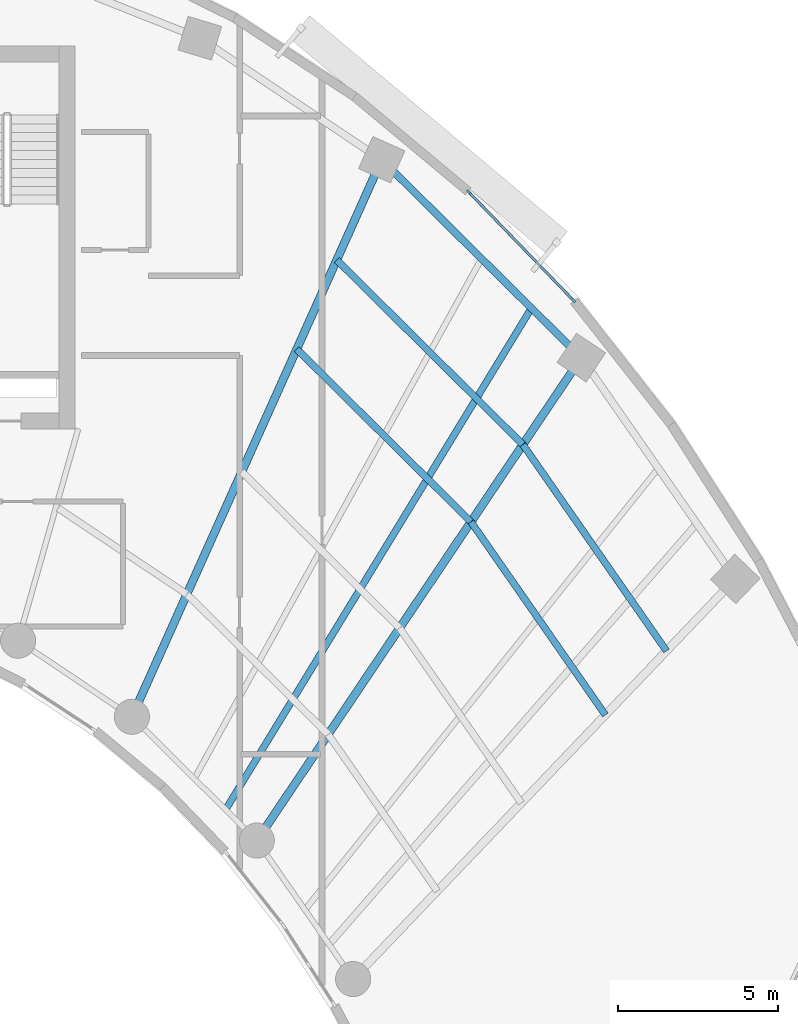
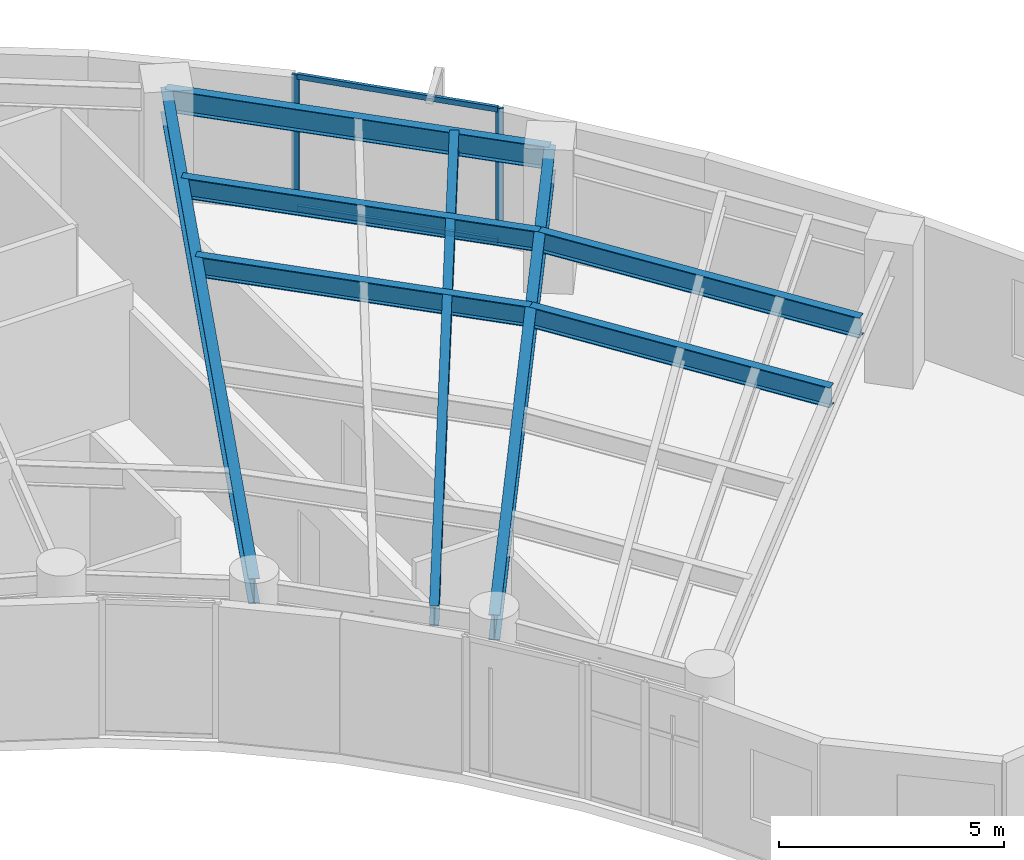
# One storey, part 4 of 13: 8 beams, 4 members, 1 element without a shape of its own.
"""IFC4 building model written with IfcOpenShell, lengths in metres."""

from ifc_helpers import new_model, si_unit, direction, frame, origin, origin_2d, place, context, subcontext, project, spatial, rectangle, i_section, extrude, source, transform, mapped, material, layer, layer_set, material_profile, profile_set, type_object, element, aggregate, save


model = new_model("IFC4")

# Units and contexts
model_context = context("Model", 3, precision=1e-05, world=origin(), true_north=direction((0.0, 1.0)))
body_context = subcontext(model_context, "Body", "Model", "MODEL_VIEW")
ifc_project = project(units=[si_unit("LENGTHUNIT", "METRE"), si_unit("AREAUNIT", "SQUARE_METRE"), si_unit("VOLUMEUNIT", "CUBIC_METRE"), si_unit("PLANEANGLEUNIT", "RADIAN"), si_unit("MASSUNIT", "GRAM", prefix="KILO")], contexts=[model_context])

# Site, building, storey
site_placement = place(None, origin())
site = spatial("IfcSite", under=ifc_project, at=site_placement, CompositionType="ELEMENT")
building_placement = place(site_placement, origin())
building = spatial("IfcBuilding", under=site, at=building_placement, Name="Breltana Convention Tower", CompositionType="ELEMENT")
storey_placement = place(building_placement, frame((0.0, 0.0, 174.0)))
storey = spatial("IfcBuildingStorey", under=building, at=storey_placement, Name="L42", CompositionType="ELEMENT", Elevation=174.0)

# Beams
ifc_material_1 = material(Name="Steel ASTM A992 Grade 50", Category="steel")
ifc_material_profile_1 = material_profile(ifc_material_1, i_section(OverallWidth=0.214111328125, OverallDepth=0.549072265625, WebThickness=0.0146484375, FlangeThickness=0.023681640625, at=origin_2d()), Name="W21X93")
ifc_profile_set_1 = profile_set([ifc_material_profile_1], Name="Steel ASTM A992 Grade 50")
beam_type_1 = type_object("IfcBeamType", Name="BM-JSG-03", PredefinedType="JOIST", material=ifc_profile_set_1)
shared_shape_1 = source(origin(), body_context, "Body", "SweptSolid", [
    extrude(i_section(OverallWidth=0.214111328125, OverallDepth=0.549072265625, WebThickness=0.0146484375, FlangeThickness=0.023681640625, at=origin_2d()), origin(), (0.0, 0.0, 1.0), 18.409423828125),
])
beam_1_placement = place(storey_placement, frame((64.017333984375, 48.263916015625, 3.37548828125), z_axis=(0.520682167606, 0.853750596098, 0.0), x_axis=(-0.853750596098, 0.520682167606, 0.0)))
element("IfcBeam", 1, at=beam_1_placement, inside=storey, type_object=beam_type_1, Name="L42 Quarter-Bay Radial Trimmer 09", PredefinedType="JOIST", context=body_context, shape_type="MappedRepresentation", body=[
    mapped(shared_shape_1, transform((0.0, 0.0, 0.0), scale=1.0)),
])
shared_shape_2 = source(origin(), body_context, "Body", "SweptSolid", [
    extrude(i_section(OverallWidth=0.214111328125, OverallDepth=0.549072265625, WebThickness=0.0146484375, FlangeThickness=0.023681640625, at=origin_2d()), origin(), (0.0, 0.0, 1.0), 7.688720703125),
])
beam_2_placement = place(storey_placement, frame((66.248779296875, 62.697265625, 3.37548828125), z_axis=(0.710101109809, -0.704099718682, 0.0), x_axis=(0.704099718682, 0.710101109809, 0.0)))
element("IfcBeam", 2, at=beam_2_placement, inside=storey, type_object=beam_type_1, Name="L42 Composite Floor Joist 09.3", PredefinedType="JOIST", context=body_context, shape_type="MappedRepresentation", body=[
    mapped(shared_shape_2, transform((0.0, 0.0, 0.0), scale=1.0)),
])
shared_shape_3 = source(origin(), body_context, "Body", "SweptSolid", [
    extrude(i_section(OverallWidth=0.214111328125, OverallDepth=0.549072265625, WebThickness=0.0146484375, FlangeThickness=0.023681640625, at=origin_2d()), origin(), (0.0, 0.0, 1.0), 8.21630859375),
])
beam_3_placement = place(storey_placement, frame((67.50146484375, 65.49072265625, 3.37548828125), z_axis=(0.710101511063, -0.704099314008, 0.0), x_axis=(0.704099314008, 0.710101511063, 0.0)))
element("IfcBeam", 3, at=beam_3_placement, inside=storey, type_object=beam_type_1, Name="L42 Composite Floor Joist 09.4", PredefinedType="JOIST", context=body_context, shape_type="MappedRepresentation", body=[
    mapped(shared_shape_3, transform((0.0, 0.0, 0.0), scale=1.0)),
])
shared_shape_4 = source(origin(), body_context, "Body", "SweptSolid", [
    extrude(i_section(OverallWidth=0.214111328125, OverallDepth=0.549072265625, WebThickness=0.0146484375, FlangeThickness=0.023681640625, at=origin_2d()), origin(), (0.0, 0.0, 1.0), 7.374267578125),
])
beam_4_placement = place(storey_placement, frame((71.70849609375, 57.28369140625, 3.37548828125), z_axis=(0.571229379406, -0.820790470281, 0.0), x_axis=(0.820790470281, 0.571229379406, 0.0)))
element("IfcBeam", 4, at=beam_4_placement, inside=storey, type_object=beam_type_1, Name="L42 Composite Floor Joist 10.3", PredefinedType="JOIST", context=body_context, shape_type="MappedRepresentation", body=[
    mapped(shared_shape_4, transform((0.0, 0.0, 0.0), scale=1.0)),
])
shared_shape_5 = source(origin(), body_context, "Body", "SweptSolid", [
    extrude(i_section(OverallWidth=0.214111328125, OverallDepth=0.549072265625, WebThickness=0.0146484375, FlangeThickness=0.023681640625, at=origin_2d()), origin(), (0.0, 0.0, 1.0), 7.88037109375),
])
beam_5_placement = place(storey_placement, frame((73.3359375, 59.70556640625, 3.37548828125), z_axis=(0.571197916304, -0.820812366141, 0.0), x_axis=(0.820812366141, 0.571197916304, 0.0)))
element("IfcBeam", 5, at=beam_5_placement, inside=storey, type_object=beam_type_1, Name="L42 Composite Floor Joist 10.4", PredefinedType="JOIST", context=body_context, shape_type="MappedRepresentation", body=[
    mapped(shared_shape_5, transform((0.0, 0.0, 0.0), scale=1.0)),
])
ifc_material_profile_2 = material_profile(ifc_material_1, i_section(OverallWidth=0.25390625, OverallDepth=0.68798828125, WebThickness=0.01318359375, FlangeThickness=0.02099609375, at=origin_2d()), Name="W27X102")
ifc_profile_set_2 = profile_set([ifc_material_profile_2], Name="Steel ASTM A992 Grade 50")
beam_type_2 = type_object("IfcBeamType", Name="BM-RG-W27X102", PredefinedType="USERDEFINED", material=ifc_profile_set_2)
shared_shape_6 = source(origin(), body_context, "Body", "SweptSolid", [
    extrude(i_section(OverallWidth=0.25390625, OverallDepth=0.68798828125, WebThickness=0.01318359375, FlangeThickness=0.02099609375, at=origin_2d()), origin(), (0.0, 0.0, 1.0), 19.133544921875),
])
beam_6_placement = place(storey_placement, frame((61.08203125, 51.174560546875, 3.305908203125), z_axis=(0.409144564164, 0.912469575172, 0.0), x_axis=(-0.912469575172, 0.409144564164, 0.0)))
element("IfcBeam", 6, at=beam_6_placement, inside=storey, type_object=beam_type_2, Name="L42 Radial Floor Girder R09", ObjectType="GIRDER", PredefinedType="USERDEFINED", context=body_context, shape_type="MappedRepresentation", body=[
    mapped(shared_shape_6, transform((0.0, 0.0, 0.0), scale=1.0)),
])
shared_shape_7 = source(origin(), body_context, "Body", "SweptSolid", [
    extrude(i_section(OverallWidth=0.25390625, OverallDepth=0.68798828125, WebThickness=0.01318359375, FlangeThickness=0.02099609375, at=origin_2d()), origin(), (0.0, 0.0, 1.0), 18.236328125),
])
beam_7_placement = place(storey_placement, frame((64.995849609375, 47.293701171875, 3.305908203125), z_axis=(0.557730360975, 0.830022195153, 0.0), x_axis=(-0.830022195153, 0.557730360975, 0.0)))
element("IfcBeam", 7, at=beam_7_placement, inside=storey, type_object=beam_type_2, Name="L42 Radial Floor Girder R10", ObjectType="GIRDER", PredefinedType="USERDEFINED", context=body_context, shape_type="MappedRepresentation", body=[
    mapped(shared_shape_7, transform((0.0, 0.0, 0.0), scale=1.0)),
])
ifc_material_profile_3 = material_profile(ifc_material_1, i_section(OverallWidth=0.22802734375, OverallDepth=0.60791015625, WebThickness=0.01123046875, FlangeThickness=0.017333984375, at=origin_2d()), Name="W24X76")
ifc_profile_set_3 = profile_set([ifc_material_profile_3], Name="Steel ASTM A992 Grade 50")
beam_type_3 = type_object("IfcBeamType", Name="BM-SP-W24X76", PredefinedType="SPANDREL", material=ifc_profile_set_3)
shared_shape_8 = source(origin(), body_context, "Body", "SweptSolid", [
    extrude(i_section(OverallWidth=0.22802734375, OverallDepth=0.60791015625, WebThickness=0.01123046875, FlangeThickness=0.017333984375, at=origin_2d()), origin(), (0.0, 0.0, 1.0), 8.810302734375),
])
beam_8_placement = place(storey_placement, frame((68.910400390625, 68.63330078125, 3.345947265625), z_axis=(0.710120823582, -0.704079836322, 0.0), x_axis=(0.704079836322, 0.710120823582, 0.0)))
element("IfcBeam", 8, at=beam_8_placement, inside=storey, type_object=beam_type_3, Name="L42 Outer Spandrel Beam 09", PredefinedType="SPANDREL", context=body_context, shape_type="MappedRepresentation", body=[
    mapped(shared_shape_8, transform((0.0, 0.0, 0.0), scale=1.0)),
])

# Curtain wall, members
ifc_material_2 = material(Name="Aluminium Anodised Bronze Frame", Category="aluminium")
ifc_layer = layer(ifc_material_2, 0.2099609375, Name="Aluminium Anodised Bronze Frame")
ifc_layer_set = layer_set([ifc_layer], Name="Aluminium Anodised Bronze Frame")
curtain_wall_type = type_object("IfcCurtainWallType", Name="CW-SYS-3", PredefinedType="NOTDEFINED", material=ifc_layer_set)
curtain_wall_placement = place(storey_placement, origin())
curtain_wall = element("IfcCurtainWall", 9, at=curtain_wall_placement, inside=storey, type_object=curtain_wall_type, Name="L42 outer double-skin inner glazing 4", PredefinedType="NOTDEFINED")
ifc_material_3 = material(Name="Aluminium Anodised Bronze", Category="aluminium")
ifc_material_profile_4 = material_profile(ifc_material_3, rectangle(XDim=0.070068359375, YDim=0.175048828125, at=origin_2d()), Name="CWM-70X175")
ifc_profile_set_4 = profile_set([ifc_material_profile_4], Name="Aluminium Anodised Bronze")
member_type_1 = type_object("IfcMemberType", Name="CWM-175", PredefinedType="MULLION", material=ifc_profile_set_4)
shared_shape_9 = source(origin(), body_context, "Body", "SweptSolid", [
    extrude(rectangle(XDim=0.070068359375, YDim=0.175048828125, at=origin_2d()), origin(), (0.0, 0.0, 1.0), 3.64990234375),
])
member_1_placement = place(storey_placement, frame((71.643310546875, 67.616943359375, 0.0), z_axis=(0.0, 0.0, 1.0), x_axis=(0.719393523398, 0.694602734297, 0.0)))
member_1 = element("IfcMember", 10, at=member_1_placement, type_object=member_type_1, Name="CW-03 mullion 1", PredefinedType="MULLION", context=body_context, shape_type="MappedRepresentation", body=[
    mapped(shared_shape_9, transform((0.0, 0.0, 0.0), scale=1.0)),
])
member_2_placement = place(storey_placement, frame((74.912109375, 64.2314453125, 0.0), z_axis=(0.0, 0.0, 1.0), x_axis=(0.719393523398, 0.694602734297, 0.0)))
member_2 = element("IfcMember", 11, at=member_2_placement, type_object=member_type_1, Name="CW-03 mullion 2", PredefinedType="MULLION", context=body_context, shape_type="MappedRepresentation", body=[
    mapped(shared_shape_9, transform((0.0, 0.0, 0.0), scale=1.0)),
])
ifc_material_profile_5 = material_profile(ifc_material_3, rectangle(XDim=0.080078125, YDim=0.139892578125, at=origin_2d()), Name="CWT-80X140")
ifc_profile_set_5 = profile_set([ifc_material_profile_5], Name="Aluminium Anodised Bronze")
member_type_2 = type_object("IfcMemberType", Name="CWT-140", PredefinedType="USERDEFINED", material=ifc_profile_set_5)
shared_shape_10 = source(origin(), body_context, "Body", "SweptSolid", [
    extrude(rectangle(XDim=0.080078125, YDim=0.139892578125, at=origin_2d()), origin(), (0.0, 0.0, 1.0), 4.635986328125),
])
member_3_placement = place(storey_placement, frame((71.667724609375, 67.591796875, 0.0400390625), z_axis=(0.694569137919, -0.719425960506, 0.0), x_axis=(0.719425960506, 0.694569137919, 0.0)))
member_3 = element("IfcMember", 12, at=member_3_placement, type_object=member_type_2, Name="CW-03 transom 1.1", ObjectType="TRANSOM", PredefinedType="USERDEFINED", context=body_context, shape_type="MappedRepresentation", body=[
    mapped(shared_shape_10, transform((0.0, 0.0, 0.0), scale=1.0)),
])
member_4_placement = place(storey_placement, frame((71.667724609375, 67.591796875, 3.610107421875), z_axis=(0.694569137919, -0.719425960506, 0.0), x_axis=(0.719425960506, 0.694569137919, 0.0)))
member_4 = element("IfcMember", 13, at=member_4_placement, type_object=member_type_2, Name="CW-03 transom 1.2", ObjectType="TRANSOM", PredefinedType="USERDEFINED", context=body_context, shape_type="MappedRepresentation", body=[
    mapped(shared_shape_10, transform((0.0, 0.0, 0.0), scale=1.0)),
])
aggregate(curtain_wall, [member_1, member_2, member_3, member_4])

save(model, "model.ifc")
